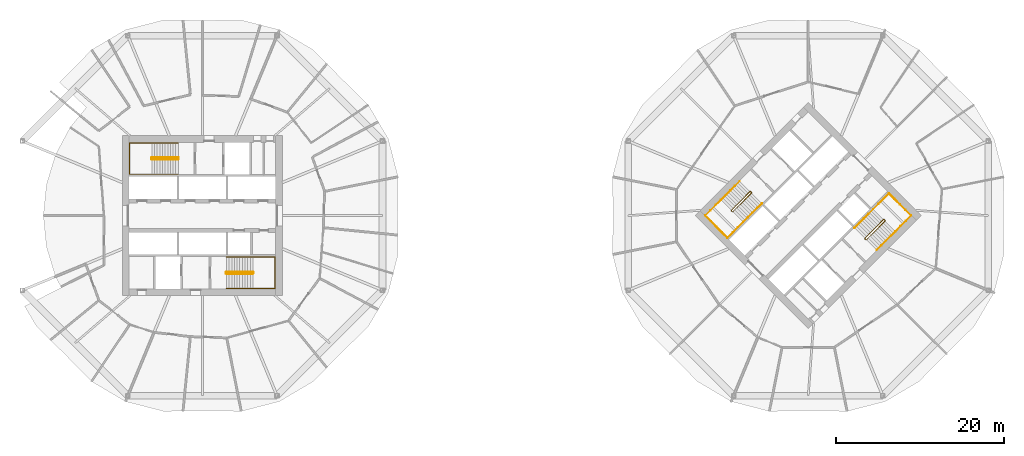
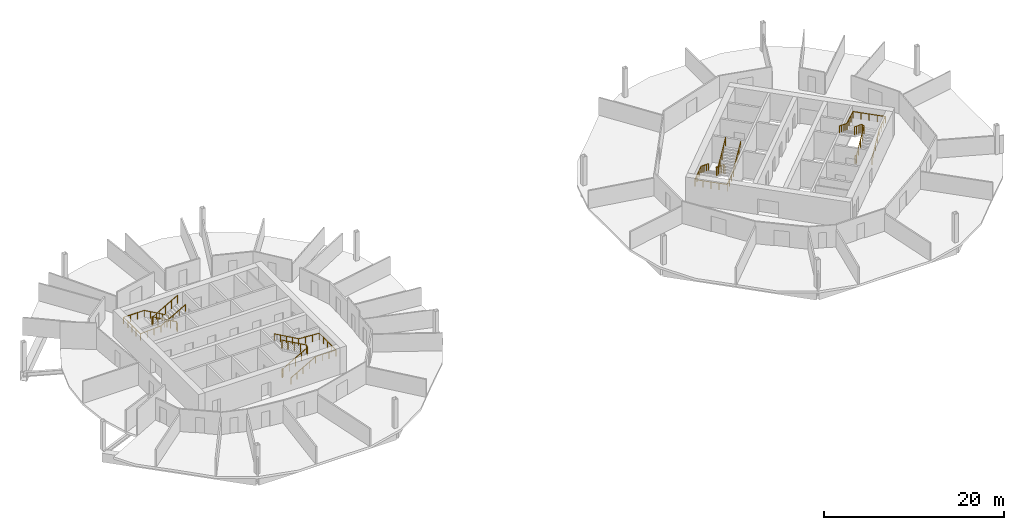
# One storey, part 10 of 10: 8 railings.
"""IFC4 building model written with IfcOpenShell, lengths in metres."""

from ifc_helpers import new_model, si_unit, direction, frame, origin, origin_2d, place, context, subcontext, project, spatial, circle, extrude, material, type_object, element, save


model = new_model("IFC4")

# Units and contexts
model_context = context("Model", 3, precision=1e-05, world=origin(), true_north=direction((0.0, 1.0)))
body_context = subcontext(model_context, "Body", "Model", "MODEL_VIEW")
ifc_project = project(units=[si_unit("LENGTHUNIT", "METRE"), si_unit("AREAUNIT", "SQUARE_METRE"), si_unit("VOLUMEUNIT", "CUBIC_METRE"), si_unit("PLANEANGLEUNIT", "RADIAN"), si_unit("MASSUNIT", "GRAM", prefix="KILO")], contexts=[model_context])

# Site, building, storey
site_placement = place(None, origin())
site = spatial("IfcSite", under=ifc_project, at=site_placement, CompositionType="ELEMENT")
building_placement = place(site_placement, origin())
building = spatial("IfcBuilding", under=site, at=building_placement, Name="Ogive Gate Towers", CompositionType="ELEMENT")
storey_placement = place(building_placement, frame((0.0, 0.0, 103.5)))
storey = spatial("IfcBuildingStorey", under=building, at=storey_placement, Name="L24", CompositionType="ELEMENT", Elevation=103.5)

# Railings
ifc_material = material(Name="Stainless steel", Category="steel")
railing_type_1 = type_object("IfcRailingType", Name="Stair guard 1100", PredefinedType="GUARDRAIL", material=ifc_material)
railing_1_placement = place(storey_placement, frame((-38.81494140625, 6.860107421875, 0.0)))
element("IfcRailing", 1, at=railing_1_placement, inside=storey, type_object=railing_type_1, Name="L24 ST1 stair guard 1", PredefinedType="GUARDRAIL", context=body_context, shape_type="SweptSolid", body=[
    extrude(circle(Radius=0.02392578125, at=origin_2d()), frame((0.0, 0.0, 1.076171875), z_axis=(0.0, -1.0, 0.0), x_axis=(1.0, 0.0, 0.0)), (0.0, 0.0, 1.0), 0.14501953125),
    extrude(circle(Radius=0.02392578125, at=origin_2d()), frame((0.0, -0.14501953125, 1.076171875), z_axis=(-0.186679794065, 0.726685247142, 0.661119660934), x_axis=(-0.968551454522, -0.24881334358, 0.0)), (0.0, 0.0, 1.0), 0.26806640625),
    extrude(circle(Radius=0.02392578125, at=origin_2d()), frame((-0.050048828125, 0.0498046875, 1.25341796875), z_axis=(-0.870572935281, 0.0, 0.492039393094), x_axis=(0.0, -1.0, 0.0)), (0.0, 0.0, 1.0), 3.602783203125),
    extrude(circle(Radius=0.02392578125, at=origin_2d()), frame((-3.1865234375, 0.0498046875, 3.02587890625), z_axis=(-0.707106781187, -0.707106781187, 0.0), x_axis=(0.707106781187, -0.707106781187, 0.0)), (0.0, 0.0, 1.0), 0.0703125),
    extrude(circle(Radius=0.02392578125, at=origin_2d()), frame((-3.236328125, 0.0, 3.02587890625), z_axis=(0.0, -1.0, 0.0), x_axis=(1.0, 0.0, 0.0)), (0.0, 0.0, 1.0), 0.14501953125),
    extrude(circle(Radius=0.02392578125, at=origin_2d()), frame((-3.236328125, -0.14501953125, 3.02587890625), z_axis=(0.261041864531, -0.262321481514, 0.929001929653), x_axis=(0.708833529934, 0.705375805398, 0.0)), (0.0, 0.0, 1.0), 0.190673828125),
    extrude(circle(Radius=0.02392578125, at=origin_2d()), frame((-3.1865234375, -0.195068359375, 3.203125), z_axis=(0.870572935281, 0.0, 0.492039393094), x_axis=(0.0, 1.0, 0.0)), (0.0, 0.0, 1.0), 3.602783203125),
    extrude(circle(Radius=0.02099609375, at=origin_2d()), origin(), (0.0, 0.0, 1.0), 1.052001953125),
    extrude(circle(Radius=0.02099609375, at=origin_2d()), frame((0.0, -0.14501953125, 0.0)), (0.0, 0.0, 1.0), 1.052001953125),
    extrude(circle(Radius=0.02099609375, at=origin_2d()), frame((-0.050048828125, 0.0498046875, 0.17724609375)), (0.0, 0.0, 1.0), 1.052001953125),
    extrude(circle(Radius=0.02099609375, at=origin_2d()), frame((-0.834228515625, 0.0498046875, 0.620361328125)), (0.0, 0.0, 1.0), 1.052001953125),
    extrude(circle(Radius=0.02099609375, at=origin_2d()), frame((-1.6181640625, 0.0498046875, 1.0634765625)), (0.0, 0.0, 1.0), 1.052001953125),
    extrude(circle(Radius=0.02099609375, at=origin_2d()), frame((-2.40234375, 0.0498046875, 1.5068359375)), (0.0, 0.0, 1.0), 1.052001953125),
    extrude(circle(Radius=0.02099609375, at=origin_2d()), frame((-3.1865234375, 0.0498046875, 1.949951171875)), (0.0, 0.0, 1.0), 1.052001953125),
    extrude(circle(Radius=0.02099609375, at=origin_2d()), frame((-3.236328125, 0.0, 1.949951171875)), (0.0, 0.0, 1.0), 1.052001953125),
    extrude(circle(Radius=0.02099609375, at=origin_2d()), frame((-3.236328125, -0.14501953125, 1.949951171875)), (0.0, 0.0, 1.0), 1.052001953125),
    extrude(circle(Radius=0.02099609375, at=origin_2d()), frame((-3.1865234375, -0.195068359375, 2.127197265625)), (0.0, 0.0, 1.0), 1.052001953125),
    extrude(circle(Radius=0.02099609375, at=origin_2d()), frame((-2.40234375, -0.195068359375, 2.5703125)), (0.0, 0.0, 1.0), 1.052001953125),
    extrude(circle(Radius=0.02099609375, at=origin_2d()), frame((-1.6181640625, -0.195068359375, 3.013671875)), (0.0, 0.0, 1.0), 1.052001953125),
    extrude(circle(Radius=0.02099609375, at=origin_2d()), frame((-0.834228515625, -0.195068359375, 3.456787109375)), (0.0, 0.0, 1.0), 1.052001953125),
    extrude(circle(Radius=0.02099609375, at=origin_2d()), frame((-0.050048828125, -0.195068359375, 3.89990234375)), (0.0, 0.0, 1.0), 1.052001953125),
])
railing_2_placement = place(storey_placement, frame((-33.18505859375, -6.860107421875, 0.0)))
element("IfcRailing", 2, at=railing_2_placement, inside=storey, type_object=railing_type_1, Name="L24 ST2 stair guard 1", PredefinedType="GUARDRAIL", context=body_context, shape_type="SweptSolid", body=[
    extrude(circle(Radius=0.02392578125, at=origin_2d()), frame((0.0, 0.0, 1.076171875), z_axis=(0.0, 1.0, 0.0), x_axis=(-1.0, 0.0, 0.0)), (0.0, 0.0, 1.0), 0.14501953125),
    extrude(circle(Radius=0.02392578125, at=origin_2d()), frame((0.0, 0.14501953125, 1.076171875), z_axis=(0.186679794065, -0.726685247142, 0.661119660934), x_axis=(0.968551454522, 0.24881334358, 0.0)), (0.0, 0.0, 1.0), 0.26806640625),
    extrude(circle(Radius=0.02392578125, at=origin_2d()), frame((0.050048828125, -0.0498046875, 1.25341796875), z_axis=(0.870572935281, 0.0, 0.492039393094), x_axis=(0.0, 1.0, 0.0)), (0.0, 0.0, 1.0), 3.602783203125),
    extrude(circle(Radius=0.02392578125, at=origin_2d()), frame((3.1865234375, -0.0498046875, 3.02587890625), z_axis=(0.707106781187, 0.707106781187, 0.0), x_axis=(-0.707106781187, 0.707106781187, 0.0)), (0.0, 0.0, 1.0), 0.0703125),
    extrude(circle(Radius=0.02392578125, at=origin_2d()), frame((3.236328125, 0.0, 3.02587890625), z_axis=(0.0, 1.0, 0.0), x_axis=(-1.0, 0.0, 0.0)), (0.0, 0.0, 1.0), 0.14501953125),
    extrude(circle(Radius=0.02392578125, at=origin_2d()), frame((3.236328125, 0.14501953125, 3.02587890625), z_axis=(-0.261041864531, 0.262321481514, 0.929001929653), x_axis=(-0.708833529934, -0.705375805398, 0.0)), (0.0, 0.0, 1.0), 0.190673828125),
    extrude(circle(Radius=0.02392578125, at=origin_2d()), frame((3.1865234375, 0.195068359375, 3.203125), z_axis=(-0.870572935281, 0.0, 0.492039393094), x_axis=(0.0, -1.0, 0.0)), (0.0, 0.0, 1.0), 3.602783203125),
    extrude(circle(Radius=0.02099609375, at=origin_2d()), origin(), (0.0, 0.0, 1.0), 1.052001953125),
    extrude(circle(Radius=0.02099609375, at=origin_2d()), frame((0.0, 0.14501953125, 0.0)), (0.0, 0.0, 1.0), 1.052001953125),
    extrude(circle(Radius=0.02099609375, at=origin_2d()), frame((0.050048828125, -0.0498046875, 0.17724609375)), (0.0, 0.0, 1.0), 1.052001953125),
    extrude(circle(Radius=0.02099609375, at=origin_2d()), frame((0.834228515625, -0.0498046875, 0.620361328125)), (0.0, 0.0, 1.0), 1.052001953125),
    extrude(circle(Radius=0.02099609375, at=origin_2d()), frame((1.6181640625, -0.0498046875, 1.0634765625)), (0.0, 0.0, 1.0), 1.052001953125),
    extrude(circle(Radius=0.02099609375, at=origin_2d()), frame((2.40234375, -0.0498046875, 1.5068359375)), (0.0, 0.0, 1.0), 1.052001953125),
    extrude(circle(Radius=0.02099609375, at=origin_2d()), frame((3.1865234375, -0.0498046875, 1.949951171875)), (0.0, 0.0, 1.0), 1.052001953125),
    extrude(circle(Radius=0.02099609375, at=origin_2d()), frame((3.236328125, 0.0, 1.949951171875)), (0.0, 0.0, 1.0), 1.052001953125),
    extrude(circle(Radius=0.02099609375, at=origin_2d()), frame((3.236328125, 0.14501953125, 1.949951171875)), (0.0, 0.0, 1.0), 1.052001953125),
    extrude(circle(Radius=0.02099609375, at=origin_2d()), frame((3.1865234375, 0.195068359375, 2.127197265625)), (0.0, 0.0, 1.0), 1.052001953125),
    extrude(circle(Radius=0.02099609375, at=origin_2d()), frame((2.40234375, 0.195068359375, 2.5703125)), (0.0, 0.0, 1.0), 1.052001953125),
    extrude(circle(Radius=0.02099609375, at=origin_2d()), frame((1.6181640625, 0.195068359375, 3.013671875)), (0.0, 0.0, 1.0), 1.052001953125),
    extrude(circle(Radius=0.02099609375, at=origin_2d()), frame((0.834228515625, 0.195068359375, 3.456787109375)), (0.0, 0.0, 1.0), 1.052001953125),
    extrude(circle(Radius=0.02099609375, at=origin_2d()), frame((0.050048828125, 0.195068359375, 3.89990234375)), (0.0, 0.0, 1.0), 1.052001953125),
])
railing_3_placement = place(storey_placement, frame((29.15869140625, 2.8603515625, 0.0)))
element("IfcRailing", 3, at=railing_3_placement, inside=storey, type_object=railing_type_1, Name="L24 ST1 stair guard 1", PredefinedType="GUARDRAIL", context=body_context, shape_type="SweptSolid", body=[
    extrude(circle(Radius=0.02392578125, at=origin_2d()), frame((0.0, 0.0, 1.076171875), z_axis=(0.707106781187, -0.707106781187, 0.0), x_axis=(0.707106781187, 0.707106781187, 0.0)), (0.0, 0.0, 1.0), 0.14501953125),
    extrude(circle(Radius=0.02392578125, at=origin_2d()), frame((0.1025390625, -0.1025390625, 1.076171875), z_axis=(-0.645571447971, 0.382425963537, 0.661050594114), x_axis=(-0.509669330572, -0.860370369942, 0.0)), (0.0, 0.0, 1.0), 0.26806640625),
    extrude(circle(Radius=0.02392578125, at=origin_2d()), frame((-0.070556640625, 0.0, 1.25341796875), z_axis=(-0.61558473135, -0.61558473135, 0.49204763698), x_axis=(0.707106781187, -0.707106781187, 0.0)), (0.0, 0.0, 1.0), 3.602783203125),
    extrude(circle(Radius=0.02392578125, at=origin_2d()), frame((-2.288330078125, -2.2177734375, 3.02587890625), z_axis=(0.0, -1.0, 0.0), x_axis=(1.0, 0.0, 0.0)), (0.0, 0.0, 1.0), 0.07080078125),
    extrude(circle(Radius=0.02392578125, at=origin_2d()), frame((-2.288330078125, -2.28857421875, 3.02587890625), z_axis=(0.707106781187, -0.707106781187, 0.0), x_axis=(0.707106781187, 0.707106781187, 0.0)), (0.0, 0.0, 1.0), 0.14501953125),
    extrude(circle(Radius=0.02392578125, at=origin_2d()), frame((-2.185791015625, -2.39111328125, 3.02587890625), z_axis=(0.369845645421, 0.0, 0.929093213065), x_axis=(0.0, 1.0, 0.0)), (0.0, 0.0, 1.0), 0.190673828125),
    extrude(circle(Radius=0.02392578125, at=origin_2d()), frame((-2.115234375, -2.39111328125, 3.203125), z_axis=(0.61558473135, 0.61558473135, 0.49204763698), x_axis=(-0.707106781187, 0.707106781187, 0.0)), (0.0, 0.0, 1.0), 3.602783203125),
    extrude(circle(Radius=0.02099609375, at=origin_2d()), origin(), (0.0, 0.0, 1.0), 1.052001953125),
    extrude(circle(Radius=0.02099609375, at=origin_2d()), frame((0.1025390625, -0.1025390625, 0.0)), (0.0, 0.0, 1.0), 1.052001953125),
    extrude(circle(Radius=0.02099609375, at=origin_2d()), frame((-0.070556640625, 0.0, 0.17724609375)), (0.0, 0.0, 1.0), 1.052001953125),
    extrude(circle(Radius=0.02099609375, at=origin_2d()), frame((-0.625, -0.554443359375, 0.620361328125)), (0.0, 0.0, 1.0), 1.052001953125),
    extrude(circle(Radius=0.02099609375, at=origin_2d()), frame((-1.179443359375, -1.10888671875, 1.0634765625)), (0.0, 0.0, 1.0), 1.052001953125),
    extrude(circle(Radius=0.02099609375, at=origin_2d()), frame((-1.73388671875, -1.663330078125, 1.5068359375)), (0.0, 0.0, 1.0), 1.052001953125),
    extrude(circle(Radius=0.02099609375, at=origin_2d()), frame((-2.288330078125, -2.2177734375, 1.949951171875)), (0.0, 0.0, 1.0), 1.052001953125),
    extrude(circle(Radius=0.02099609375, at=origin_2d()), frame((-2.288330078125, -2.28857421875, 1.949951171875)), (0.0, 0.0, 1.0), 1.052001953125),
    extrude(circle(Radius=0.02099609375, at=origin_2d()), frame((-2.185791015625, -2.39111328125, 1.949951171875)), (0.0, 0.0, 1.0), 1.052001953125),
    extrude(circle(Radius=0.02099609375, at=origin_2d()), frame((-2.115234375, -2.39111328125, 2.127197265625)), (0.0, 0.0, 1.0), 1.052001953125),
    extrude(circle(Radius=0.02099609375, at=origin_2d()), frame((-1.560791015625, -1.836669921875, 2.5703125)), (0.0, 0.0, 1.0), 1.052001953125),
    extrude(circle(Radius=0.02099609375, at=origin_2d()), frame((-1.00634765625, -1.2822265625, 3.013671875)), (0.0, 0.0, 1.0), 1.052001953125),
    extrude(circle(Radius=0.02099609375, at=origin_2d()), frame((-0.451904296875, -0.727783203125, 3.456787109375)), (0.0, 0.0, 1.0), 1.052001953125),
    extrude(circle(Radius=0.02099609375, at=origin_2d()), frame((0.1025390625, -0.17333984375, 3.89990234375)), (0.0, 0.0, 1.0), 1.052001953125),
])
railing_4_placement = place(storey_placement, frame((42.84130859375, -2.8603515625, 0.0)))
element("IfcRailing", 4, at=railing_4_placement, inside=storey, type_object=railing_type_1, Name="L24 ST2 stair guard 1", PredefinedType="GUARDRAIL", context=body_context, shape_type="SweptSolid", body=[
    extrude(circle(Radius=0.02392578125, at=origin_2d()), frame((0.0, 0.0, 1.076171875), z_axis=(-0.707106781187, 0.707106781187, 0.0), x_axis=(-0.707106781187, -0.707106781187, 0.0)), (0.0, 0.0, 1.0), 0.14501953125),
    extrude(circle(Radius=0.02392578125, at=origin_2d()), frame((-0.1025390625, 0.1025390625, 1.076171875), z_axis=(0.645571447971, -0.382425963537, 0.661050594114), x_axis=(0.509669330572, 0.860370369942, 0.0)), (0.0, 0.0, 1.0), 0.26806640625),
    extrude(circle(Radius=0.02392578125, at=origin_2d()), frame((0.070556640625, 0.0, 1.25341796875), z_axis=(0.61558473135, 0.61558473135, 0.49204763698), x_axis=(-0.707106781187, 0.707106781187, 0.0)), (0.0, 0.0, 1.0), 3.602783203125),
    extrude(circle(Radius=0.02392578125, at=origin_2d()), frame((2.288330078125, 2.2177734375, 3.02587890625), z_axis=(0.0, 1.0, 0.0), x_axis=(-1.0, 0.0, 0.0)), (0.0, 0.0, 1.0), 0.07080078125),
    extrude(circle(Radius=0.02392578125, at=origin_2d()), frame((2.288330078125, 2.28857421875, 3.02587890625), z_axis=(-0.707106781187, 0.707106781187, 0.0), x_axis=(-0.707106781187, -0.707106781187, 0.0)), (0.0, 0.0, 1.0), 0.14501953125),
    extrude(circle(Radius=0.02392578125, at=origin_2d()), frame((2.185791015625, 2.39111328125, 3.02587890625), z_axis=(-0.369845645421, 0.0, 0.929093213065), x_axis=(0.0, -1.0, 0.0)), (0.0, 0.0, 1.0), 0.190673828125),
    extrude(circle(Radius=0.02392578125, at=origin_2d()), frame((2.115234375, 2.39111328125, 3.203125), z_axis=(-0.61558473135, -0.61558473135, 0.49204763698), x_axis=(0.707106781187, -0.707106781187, 0.0)), (0.0, 0.0, 1.0), 3.602783203125),
    extrude(circle(Radius=0.02099609375, at=origin_2d()), origin(), (0.0, 0.0, 1.0), 1.052001953125),
    extrude(circle(Radius=0.02099609375, at=origin_2d()), frame((-0.1025390625, 0.1025390625, 0.0)), (0.0, 0.0, 1.0), 1.052001953125),
    extrude(circle(Radius=0.02099609375, at=origin_2d()), frame((0.070556640625, 0.0, 0.17724609375)), (0.0, 0.0, 1.0), 1.052001953125),
    extrude(circle(Radius=0.02099609375, at=origin_2d()), frame((0.625, 0.554443359375, 0.620361328125)), (0.0, 0.0, 1.0), 1.052001953125),
    extrude(circle(Radius=0.02099609375, at=origin_2d()), frame((1.179443359375, 1.10888671875, 1.0634765625)), (0.0, 0.0, 1.0), 1.052001953125),
    extrude(circle(Radius=0.02099609375, at=origin_2d()), frame((1.73388671875, 1.663330078125, 1.5068359375)), (0.0, 0.0, 1.0), 1.052001953125),
    extrude(circle(Radius=0.02099609375, at=origin_2d()), frame((2.288330078125, 2.2177734375, 1.949951171875)), (0.0, 0.0, 1.0), 1.052001953125),
    extrude(circle(Radius=0.02099609375, at=origin_2d()), frame((2.288330078125, 2.28857421875, 1.949951171875)), (0.0, 0.0, 1.0), 1.052001953125),
    extrude(circle(Radius=0.02099609375, at=origin_2d()), frame((2.185791015625, 2.39111328125, 1.949951171875)), (0.0, 0.0, 1.0), 1.052001953125),
    extrude(circle(Radius=0.02099609375, at=origin_2d()), frame((2.115234375, 2.39111328125, 2.127197265625)), (0.0, 0.0, 1.0), 1.052001953125),
    extrude(circle(Radius=0.02099609375, at=origin_2d()), frame((1.560791015625, 1.836669921875, 2.5703125)), (0.0, 0.0, 1.0), 1.052001953125),
    extrude(circle(Radius=0.02099609375, at=origin_2d()), frame((1.00634765625, 1.2822265625, 3.013671875)), (0.0, 0.0, 1.0), 1.052001953125),
    extrude(circle(Radius=0.02099609375, at=origin_2d()), frame((0.451904296875, 0.727783203125, 3.456787109375)), (0.0, 0.0, 1.0), 1.052001953125),
    extrude(circle(Radius=0.02099609375, at=origin_2d()), frame((-0.1025390625, 0.17333984375, 3.89990234375)), (0.0, 0.0, 1.0), 1.052001953125),
])
railing_type_2 = type_object("IfcRailingType", Name="Stair handrail 900", PredefinedType="HANDRAIL", material=ifc_material)
railing_5_placement = place(storey_placement, frame((-38.864990234375, 8.64990234375, 0.17724609375)))
element("IfcRailing", 5, at=railing_5_placement, inside=storey, type_object=railing_type_2, Name="L24 ST1 stair handrail 1", PredefinedType="HANDRAIL", context=body_context, shape_type="SweptSolid", body=[
    extrude(circle(Radius=0.02392578125, at=origin_2d()), frame((0.0, 0.0, 0.8759765625), z_axis=(-0.870572935281, 0.0, 0.492039393094), x_axis=(0.0, -1.0, 0.0)), (0.0, 0.0, 1.0), 3.602783203125),
    extrude(circle(Radius=0.02392578125, at=origin_2d()), frame((-3.136474609375, 0.0, 2.6484375), z_axis=(-1.0, 0.0, 0.0), x_axis=(0.0, -1.0, 0.0)), (0.0, 0.0, 1.0), 2.6484375),
    extrude(circle(Radius=0.02392578125, at=origin_2d()), frame((-5.784912109375, 0.0, 2.6484375), z_axis=(0.0, -1.0, 0.0), x_axis=(1.0, 0.0, 0.0)), (0.0, 0.0, 1.0), 3.724853515625),
    extrude(circle(Radius=0.02392578125, at=origin_2d()), frame((-5.784912109375, -3.724853515625, 2.6484375), z_axis=(0.997768031817, 0.0, 0.066775404784), x_axis=(0.0, 1.0, 0.0)), (0.0, 0.0, 1.0), 2.654296875),
    extrude(circle(Radius=0.02392578125, at=origin_2d()), frame((-3.136474609375, -3.724853515625, 2.82568359375), z_axis=(0.870572935281, 0.0, 0.492039393094), x_axis=(0.0, 1.0, 0.0)), (0.0, 0.0, 1.0), 3.602783203125),
    extrude(circle(Radius=0.02099609375, at=origin_2d()), origin(), (0.0, 0.0, 1.0), 0.851806640625),
    extrude(circle(Radius=0.02099609375, at=origin_2d()), frame((-0.7841796875, 0.0, 0.443115234375)), (0.0, 0.0, 1.0), 0.851806640625),
    extrude(circle(Radius=0.02099609375, at=origin_2d()), frame((-1.568359375, 0.0, 0.88623046875)), (0.0, 0.0, 1.0), 0.851806640625),
    extrude(circle(Radius=0.02099609375, at=origin_2d()), frame((-2.352294921875, 0.0, 1.32958984375)), (0.0, 0.0, 1.0), 0.851806640625),
    extrude(circle(Radius=0.02099609375, at=origin_2d()), frame((-3.136474609375, 0.0, 1.772705078125)), (0.0, 0.0, 1.0), 0.851806640625),
    extrude(circle(Radius=0.02099609375, at=origin_2d()), frame((-4.019287109375, 0.0, 1.772705078125)), (0.0, 0.0, 1.0), 0.851806640625),
    extrude(circle(Radius=0.02099609375, at=origin_2d()), frame((-4.902099609375, 0.0, 1.772705078125)), (0.0, 0.0, 1.0), 0.851806640625),
    extrude(circle(Radius=0.02099609375, at=origin_2d()), frame((-5.784912109375, 0.0, 1.772705078125)), (0.0, 0.0, 1.0), 0.851806640625),
    extrude(circle(Radius=0.02099609375, at=origin_2d()), frame((-5.784912109375, -0.93115234375, 1.772705078125)), (0.0, 0.0, 1.0), 0.851806640625),
    extrude(circle(Radius=0.02099609375, at=origin_2d()), frame((-5.784912109375, -1.8623046875, 1.772705078125)), (0.0, 0.0, 1.0), 0.851806640625),
    extrude(circle(Radius=0.02099609375, at=origin_2d()), frame((-5.784912109375, -2.793701171875, 1.772705078125)), (0.0, 0.0, 1.0), 0.851806640625),
    extrude(circle(Radius=0.02099609375, at=origin_2d()), frame((-5.784912109375, -3.724853515625, 1.772705078125)), (0.0, 0.0, 1.0), 0.851806640625),
    extrude(circle(Radius=0.02099609375, at=origin_2d()), frame((-4.902099609375, -3.724853515625, 1.831787109375)), (0.0, 0.0, 1.0), 0.851806640625),
    extrude(circle(Radius=0.02099609375, at=origin_2d()), frame((-4.019287109375, -3.724853515625, 1.890869140625)), (0.0, 0.0, 1.0), 0.851806640625),
    extrude(circle(Radius=0.02099609375, at=origin_2d()), frame((-3.136474609375, -3.724853515625, 1.949951171875)), (0.0, 0.0, 1.0), 0.851806640625),
    extrude(circle(Radius=0.02099609375, at=origin_2d()), frame((-2.352294921875, -3.724853515625, 2.39306640625)), (0.0, 0.0, 1.0), 0.851806640625),
    extrude(circle(Radius=0.02099609375, at=origin_2d()), frame((-1.568359375, -3.724853515625, 2.83642578125)), (0.0, 0.0, 1.0), 0.851806640625),
    extrude(circle(Radius=0.02099609375, at=origin_2d()), frame((-0.7841796875, -3.724853515625, 3.279541015625)), (0.0, 0.0, 1.0), 0.851806640625),
    extrude(circle(Radius=0.02099609375, at=origin_2d()), frame((0.0, -3.724853515625, 3.72265625)), (0.0, 0.0, 1.0), 0.851806640625),
])
railing_6_placement = place(storey_placement, frame((-33.135009765625, -8.64990234375, 0.17724609375)))
element("IfcRailing", 6, at=railing_6_placement, inside=storey, type_object=railing_type_2, Name="L24 ST2 stair handrail 1", PredefinedType="HANDRAIL", context=body_context, shape_type="SweptSolid", body=[
    extrude(circle(Radius=0.02392578125, at=origin_2d()), frame((0.0, 0.0, 0.8759765625), z_axis=(0.870572935281, 0.0, 0.492039393094), x_axis=(0.0, 1.0, 0.0)), (0.0, 0.0, 1.0), 3.602783203125),
    extrude(circle(Radius=0.02392578125, at=origin_2d()), frame((3.136474609375, 0.0, 2.6484375), z_axis=(1.0, 0.0, 0.0), x_axis=(0.0, 1.0, 0.0)), (0.0, 0.0, 1.0), 2.6484375),
    extrude(circle(Radius=0.02392578125, at=origin_2d()), frame((5.784912109375, 0.0, 2.6484375), z_axis=(0.0, 1.0, 0.0), x_axis=(-1.0, 0.0, 0.0)), (0.0, 0.0, 1.0), 3.724853515625),
    extrude(circle(Radius=0.02392578125, at=origin_2d()), frame((5.784912109375, 3.724853515625, 2.6484375), z_axis=(-0.997768031817, 0.0, 0.066775404784), x_axis=(0.0, -1.0, 0.0)), (0.0, 0.0, 1.0), 2.654296875),
    extrude(circle(Radius=0.02392578125, at=origin_2d()), frame((3.136474609375, 3.724853515625, 2.82568359375), z_axis=(-0.870572935281, 0.0, 0.492039393094), x_axis=(0.0, -1.0, 0.0)), (0.0, 0.0, 1.0), 3.602783203125),
    extrude(circle(Radius=0.02099609375, at=origin_2d()), origin(), (0.0, 0.0, 1.0), 0.851806640625),
    extrude(circle(Radius=0.02099609375, at=origin_2d()), frame((0.7841796875, 0.0, 0.443115234375)), (0.0, 0.0, 1.0), 0.851806640625),
    extrude(circle(Radius=0.02099609375, at=origin_2d()), frame((1.568359375, 0.0, 0.88623046875)), (0.0, 0.0, 1.0), 0.851806640625),
    extrude(circle(Radius=0.02099609375, at=origin_2d()), frame((2.352294921875, 0.0, 1.32958984375)), (0.0, 0.0, 1.0), 0.851806640625),
    extrude(circle(Radius=0.02099609375, at=origin_2d()), frame((3.136474609375, 0.0, 1.772705078125)), (0.0, 0.0, 1.0), 0.851806640625),
    extrude(circle(Radius=0.02099609375, at=origin_2d()), frame((4.019287109375, 0.0, 1.772705078125)), (0.0, 0.0, 1.0), 0.851806640625),
    extrude(circle(Radius=0.02099609375, at=origin_2d()), frame((4.902099609375, 0.0, 1.772705078125)), (0.0, 0.0, 1.0), 0.851806640625),
    extrude(circle(Radius=0.02099609375, at=origin_2d()), frame((5.784912109375, 0.0, 1.772705078125)), (0.0, 0.0, 1.0), 0.851806640625),
    extrude(circle(Radius=0.02099609375, at=origin_2d()), frame((5.784912109375, 0.93115234375, 1.772705078125)), (0.0, 0.0, 1.0), 0.851806640625),
    extrude(circle(Radius=0.02099609375, at=origin_2d()), frame((5.784912109375, 1.8623046875, 1.772705078125)), (0.0, 0.0, 1.0), 0.851806640625),
    extrude(circle(Radius=0.02099609375, at=origin_2d()), frame((5.784912109375, 2.793701171875, 1.772705078125)), (0.0, 0.0, 1.0), 0.851806640625),
    extrude(circle(Radius=0.02099609375, at=origin_2d()), frame((5.784912109375, 3.724853515625, 1.772705078125)), (0.0, 0.0, 1.0), 0.851806640625),
    extrude(circle(Radius=0.02099609375, at=origin_2d()), frame((4.902099609375, 3.724853515625, 1.831787109375)), (0.0, 0.0, 1.0), 0.851806640625),
    extrude(circle(Radius=0.02099609375, at=origin_2d()), frame((4.019287109375, 3.724853515625, 1.890869140625)), (0.0, 0.0, 1.0), 0.851806640625),
    extrude(circle(Radius=0.02099609375, at=origin_2d()), frame((3.136474609375, 3.724853515625, 1.949951171875)), (0.0, 0.0, 1.0), 0.851806640625),
    extrude(circle(Radius=0.02099609375, at=origin_2d()), frame((2.352294921875, 3.724853515625, 2.39306640625)), (0.0, 0.0, 1.0), 0.851806640625),
    extrude(circle(Radius=0.02099609375, at=origin_2d()), frame((1.568359375, 3.724853515625, 2.83642578125)), (0.0, 0.0, 1.0), 0.851806640625),
    extrude(circle(Radius=0.02099609375, at=origin_2d()), frame((0.7841796875, 3.724853515625, 3.279541015625)), (0.0, 0.0, 1.0), 0.851806640625),
    extrude(circle(Radius=0.02099609375, at=origin_2d()), frame((0.0, 3.724853515625, 3.72265625)), (0.0, 0.0, 1.0), 0.851806640625),
])
railing_7_placement = place(storey_placement, frame((27.857666015625, 4.090576171875, 0.17724609375)))
element("IfcRailing", 7, at=railing_7_placement, inside=storey, type_object=railing_type_2, Name="L24 ST1 stair handrail 1", PredefinedType="HANDRAIL", context=body_context, shape_type="SweptSolid", body=[
    extrude(circle(Radius=0.02392578125, at=origin_2d()), frame((0.0, 0.0, 0.8759765625), z_axis=(-0.61558473135, -0.61558473135, 0.49204763698), x_axis=(0.707106781187, -0.707106781187, 0.0)), (0.0, 0.0, 1.0), 3.602783203125),
    extrude(circle(Radius=0.02392578125, at=origin_2d()), frame((-2.2177734375, -2.2177734375, 2.6484375), z_axis=(-0.707106781187, -0.707106781187, 0.0), x_axis=(0.707106781187, -0.707106781187, 0.0)), (0.0, 0.0, 1.0), 2.6484375),
    extrude(circle(Radius=0.02392578125, at=origin_2d()), frame((-4.090576171875, -4.090576171875, 2.6484375), z_axis=(0.707106781187, -0.707106781187, 0.0), x_axis=(0.707106781187, 0.707106781187, 0.0)), (0.0, 0.0, 1.0), 3.72509765625),
    extrude(circle(Radius=0.02392578125, at=origin_2d()), frame((-1.45654296875, -6.724609375, 2.6484375), z_axis=(0.705482886452, 0.705574853978, 0.066768423356), x_axis=(-0.70715286629, 0.70706069308, 0.0)), (0.0, 0.0, 1.0), 2.654541015625),
    extrude(circle(Radius=0.02392578125, at=origin_2d()), frame((0.416259765625, -4.8515625, 2.82568359375), z_axis=(0.615610411033, 0.615542642384, 0.4920681632), x_axis=(-0.70706785752, 0.70714570271, 0.0)), (0.0, 0.0, 1.0), 3.6025390625),
    extrude(circle(Radius=0.02099609375, at=origin_2d()), origin(), (0.0, 0.0, 1.0), 0.851806640625),
    extrude(circle(Radius=0.02099609375, at=origin_2d()), frame((-0.554443359375, -0.554443359375, 0.443115234375)), (0.0, 0.0, 1.0), 0.851806640625),
    extrude(circle(Radius=0.02099609375, at=origin_2d()), frame((-1.10888671875, -1.10888671875, 0.88623046875)), (0.0, 0.0, 1.0), 0.851806640625),
    extrude(circle(Radius=0.02099609375, at=origin_2d()), frame((-1.663330078125, -1.663330078125, 1.32958984375)), (0.0, 0.0, 1.0), 0.851806640625),
    extrude(circle(Radius=0.02099609375, at=origin_2d()), frame((-2.2177734375, -2.2177734375, 1.772705078125)), (0.0, 0.0, 1.0), 0.851806640625),
    extrude(circle(Radius=0.02099609375, at=origin_2d()), frame((-2.842041015625, -2.842041015625, 1.772705078125)), (0.0, 0.0, 1.0), 0.851806640625),
    extrude(circle(Radius=0.02099609375, at=origin_2d()), frame((-3.46630859375, -3.46630859375, 1.772705078125)), (0.0, 0.0, 1.0), 0.851806640625),
    extrude(circle(Radius=0.02099609375, at=origin_2d()), frame((-4.090576171875, -4.090576171875, 1.772705078125)), (0.0, 0.0, 1.0), 0.851806640625),
    extrude(circle(Radius=0.02099609375, at=origin_2d()), frame((-3.43212890625, -4.7490234375, 1.772705078125)), (0.0, 0.0, 1.0), 0.851806640625),
    extrude(circle(Radius=0.02099609375, at=origin_2d()), frame((-2.7734375, -5.40771484375, 1.772705078125)), (0.0, 0.0, 1.0), 0.851806640625),
    extrude(circle(Radius=0.02099609375, at=origin_2d()), frame((-2.114990234375, -6.066162109375, 1.772705078125)), (0.0, 0.0, 1.0), 0.851806640625),
    extrude(circle(Radius=0.02099609375, at=origin_2d()), frame((-1.45654296875, -6.724609375, 1.772705078125)), (0.0, 0.0, 1.0), 0.851806640625),
    extrude(circle(Radius=0.02099609375, at=origin_2d()), frame((-0.832275390625, -6.100341796875, 1.831787109375)), (0.0, 0.0, 1.0), 0.851806640625),
    extrude(circle(Radius=0.02099609375, at=origin_2d()), frame((-0.2080078125, -5.475830078125, 1.890869140625)), (0.0, 0.0, 1.0), 0.851806640625),
    extrude(circle(Radius=0.02099609375, at=origin_2d()), frame((0.416259765625, -4.8515625, 1.949951171875)), (0.0, 0.0, 1.0), 0.851806640625),
    extrude(circle(Radius=0.02099609375, at=origin_2d()), frame((0.970703125, -4.297119140625, 2.39306640625)), (0.0, 0.0, 1.0), 0.851806640625),
    extrude(circle(Radius=0.02099609375, at=origin_2d()), frame((1.525146484375, -3.74267578125, 2.83642578125)), (0.0, 0.0, 1.0), 0.851806640625),
    extrude(circle(Radius=0.02099609375, at=origin_2d()), frame((2.07958984375, -3.1884765625, 3.279541015625)), (0.0, 0.0, 1.0), 0.851806640625),
    extrude(circle(Radius=0.02099609375, at=origin_2d()), frame((2.634033203125, -2.634033203125, 3.72265625)), (0.0, 0.0, 1.0), 0.851806640625),
])
railing_8_placement = place(storey_placement, frame((44.142333984375, -4.090576171875, 0.17724609375)))
element("IfcRailing", 8, at=railing_8_placement, inside=storey, type_object=railing_type_2, Name="L24 ST2 stair handrail 1", PredefinedType="HANDRAIL", context=body_context, shape_type="SweptSolid", body=[
    extrude(circle(Radius=0.02392578125, at=origin_2d()), frame((0.0, 0.0, 0.8759765625), z_axis=(0.61558473135, 0.61558473135, 0.49204763698), x_axis=(-0.707106781187, 0.707106781187, 0.0)), (0.0, 0.0, 1.0), 3.602783203125),
    extrude(circle(Radius=0.02392578125, at=origin_2d()), frame((2.2177734375, 2.2177734375, 2.6484375), z_axis=(0.707106781187, 0.707106781187, 0.0), x_axis=(-0.707106781187, 0.707106781187, 0.0)), (0.0, 0.0, 1.0), 2.6484375),
    extrude(circle(Radius=0.02392578125, at=origin_2d()), frame((4.090576171875, 4.090576171875, 2.6484375), z_axis=(-0.707106781187, 0.707106781187, 0.0), x_axis=(-0.707106781187, -0.707106781187, 0.0)), (0.0, 0.0, 1.0), 3.72509765625),
    extrude(circle(Radius=0.02392578125, at=origin_2d()), frame((1.45654296875, 6.724609375, 2.6484375), z_axis=(-0.705482886452, -0.705574853978, 0.066768423356), x_axis=(0.70715286629, -0.70706069308, 0.0)), (0.0, 0.0, 1.0), 2.654541015625),
    extrude(circle(Radius=0.02392578125, at=origin_2d()), frame((-0.416259765625, 4.8515625, 2.82568359375), z_axis=(-0.615610411033, -0.615542642384, 0.4920681632), x_axis=(0.70706785752, -0.70714570271, 0.0)), (0.0, 0.0, 1.0), 3.6025390625),
    extrude(circle(Radius=0.02099609375, at=origin_2d()), origin(), (0.0, 0.0, 1.0), 0.851806640625),
    extrude(circle(Radius=0.02099609375, at=origin_2d()), frame((0.554443359375, 0.554443359375, 0.443115234375)), (0.0, 0.0, 1.0), 0.851806640625),
    extrude(circle(Radius=0.02099609375, at=origin_2d()), frame((1.10888671875, 1.10888671875, 0.88623046875)), (0.0, 0.0, 1.0), 0.851806640625),
    extrude(circle(Radius=0.02099609375, at=origin_2d()), frame((1.663330078125, 1.663330078125, 1.32958984375)), (0.0, 0.0, 1.0), 0.851806640625),
    extrude(circle(Radius=0.02099609375, at=origin_2d()), frame((2.2177734375, 2.2177734375, 1.772705078125)), (0.0, 0.0, 1.0), 0.851806640625),
    extrude(circle(Radius=0.02099609375, at=origin_2d()), frame((2.842041015625, 2.842041015625, 1.772705078125)), (0.0, 0.0, 1.0), 0.851806640625),
    extrude(circle(Radius=0.02099609375, at=origin_2d()), frame((3.46630859375, 3.46630859375, 1.772705078125)), (0.0, 0.0, 1.0), 0.851806640625),
    extrude(circle(Radius=0.02099609375, at=origin_2d()), frame((4.090576171875, 4.090576171875, 1.772705078125)), (0.0, 0.0, 1.0), 0.851806640625),
    extrude(circle(Radius=0.02099609375, at=origin_2d()), frame((3.43212890625, 4.7490234375, 1.772705078125)), (0.0, 0.0, 1.0), 0.851806640625),
    extrude(circle(Radius=0.02099609375, at=origin_2d()), frame((2.7734375, 5.40771484375, 1.772705078125)), (0.0, 0.0, 1.0), 0.851806640625),
    extrude(circle(Radius=0.02099609375, at=origin_2d()), frame((2.114990234375, 6.066162109375, 1.772705078125)), (0.0, 0.0, 1.0), 0.851806640625),
    extrude(circle(Radius=0.02099609375, at=origin_2d()), frame((1.45654296875, 6.724609375, 1.772705078125)), (0.0, 0.0, 1.0), 0.851806640625),
    extrude(circle(Radius=0.02099609375, at=origin_2d()), frame((0.832275390625, 6.100341796875, 1.831787109375)), (0.0, 0.0, 1.0), 0.851806640625),
    extrude(circle(Radius=0.02099609375, at=origin_2d()), frame((0.2080078125, 5.475830078125, 1.890869140625)), (0.0, 0.0, 1.0), 0.851806640625),
    extrude(circle(Radius=0.02099609375, at=origin_2d()), frame((-0.416259765625, 4.8515625, 1.949951171875)), (0.0, 0.0, 1.0), 0.851806640625),
    extrude(circle(Radius=0.02099609375, at=origin_2d()), frame((-0.970703125, 4.297119140625, 2.39306640625)), (0.0, 0.0, 1.0), 0.851806640625),
    extrude(circle(Radius=0.02099609375, at=origin_2d()), frame((-1.525146484375, 3.74267578125, 2.83642578125)), (0.0, 0.0, 1.0), 0.851806640625),
    extrude(circle(Radius=0.02099609375, at=origin_2d()), frame((-2.07958984375, 3.1884765625, 3.279541015625)), (0.0, 0.0, 1.0), 0.851806640625),
    extrude(circle(Radius=0.02099609375, at=origin_2d()), frame((-2.634033203125, 2.634033203125, 3.72265625)), (0.0, 0.0, 1.0), 0.851806640625),
])

save(model, "model.ifc")
